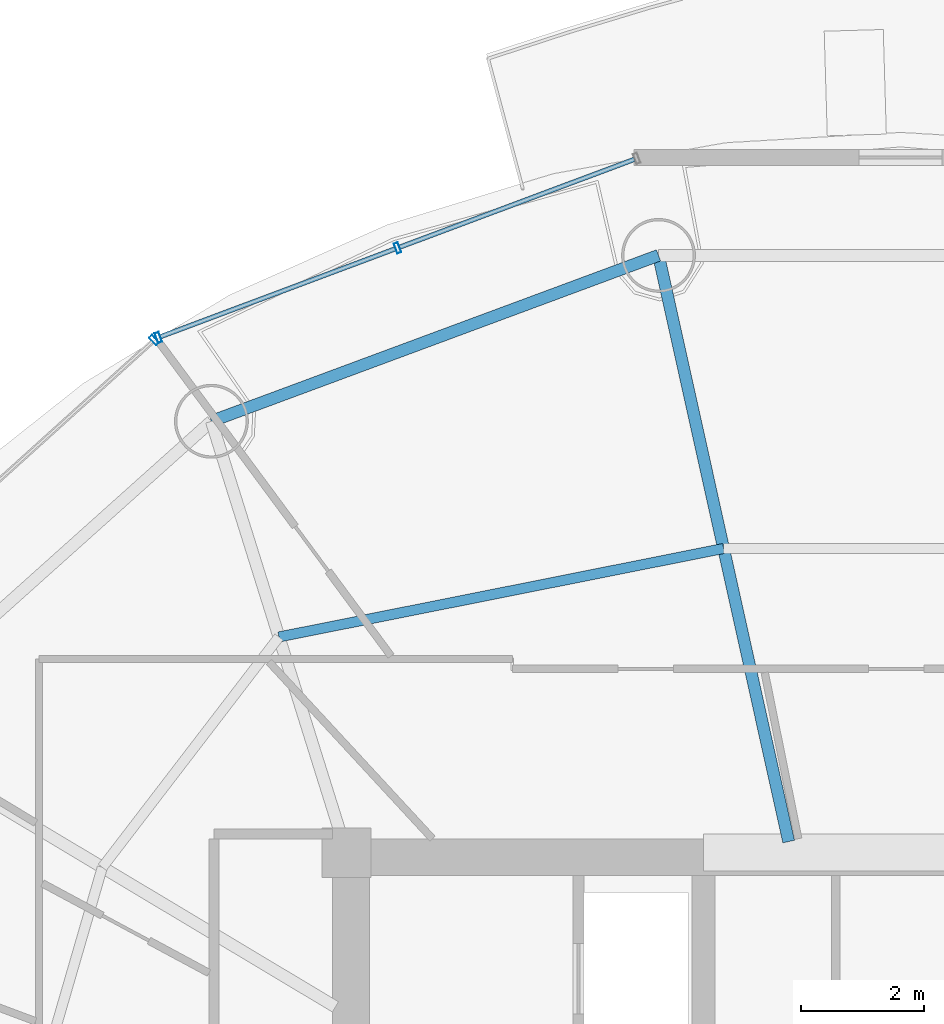
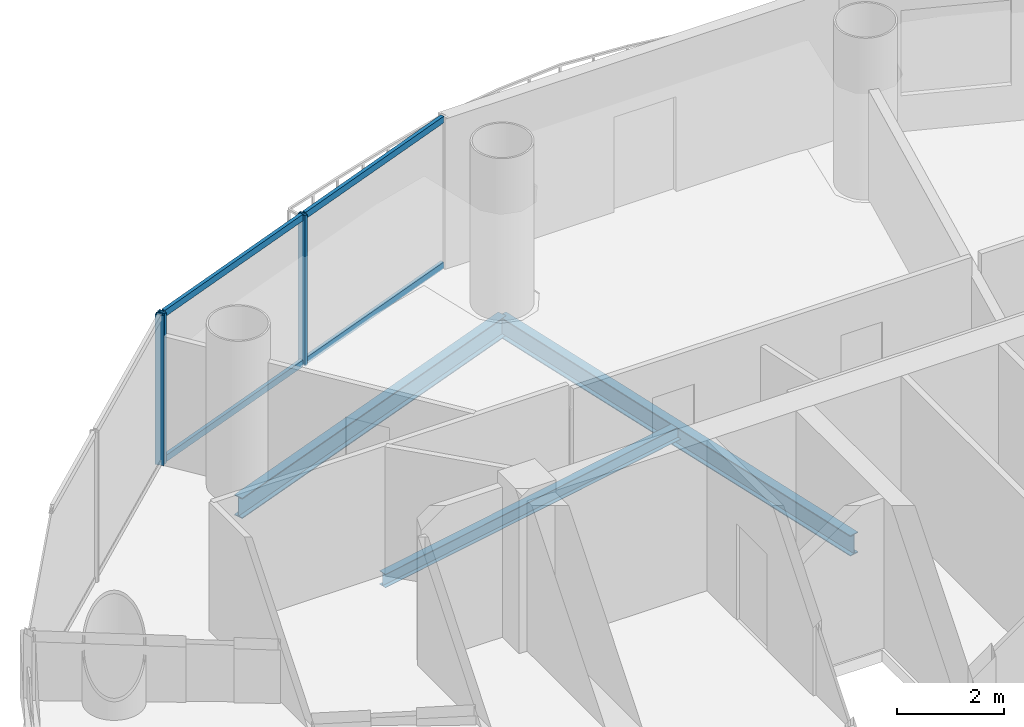
# One storey, part 15 of 26: 7 members, 3 beams, 2 elements without a shape of their own.
"""IFC4 building model written with IfcOpenShell, lengths in metres."""

from ifc_helpers import new_model, si_unit, direction, frame, origin, origin_2d, place, context, subcontext, project, spatial, hollow_rectangle, i_section, extrude, source, transform, mapped, material, material_profile, profile_set, type_object, element, aggregate, save


model = new_model("IFC4")

# Units and contexts
model_context = context("Model", 3, precision=1e-05, world=origin(), true_north=direction((-0.2419218956, 0.970295726276)))
body_context = subcontext(model_context, "Body", "Model", "MODEL_VIEW")
ifc_project = project(units=[si_unit("LENGTHUNIT", "METRE"), si_unit("AREAUNIT", "SQUARE_METRE"), si_unit("VOLUMEUNIT", "CUBIC_METRE"), si_unit("PLANEANGLEUNIT", "RADIAN"), si_unit("MASSUNIT", "GRAM", prefix="KILO")], contexts=[model_context])

# Site, building, storey
site_placement = place(None, origin())
site = spatial("IfcSite", under=ifc_project, at=site_placement, CompositionType="ELEMENT")
building_placement = place(site_placement, origin())
building = spatial("IfcBuilding", under=site, at=building_placement, Name="Cobrevalo Terracotta Tower", CompositionType="ELEMENT")
storey_placement = place(building_placement, frame((0.0, 0.0, 220.800048828125)))
storey = spatial("IfcBuildingStorey", under=building, at=storey_placement, Name="L58", CompositionType="ELEMENT", Elevation=220.800048828125)

# Beams
ifc_material_1 = material(Name="Steel S355", Category="steel")
ifc_material_profile_1 = material_profile(ifc_material_1, i_section(OverallWidth=0.194091796875, OverallDepth=0.468994140625, WebThickness=0.011474609375, FlangeThickness=0.0205078125, at=origin_2d()), Name="W 460x106")
ifc_profile_set_1 = profile_set([ifc_material_profile_1], Name="Steel S355")
beam_type_1 = type_object("IfcBeamType", Name="Structural Beam W 460x106 (Steel S355)", PredefinedType="BEAM", material=ifc_profile_set_1)
beam_1_placement = place(storey_placement, frame((34.06884765625, 44.503173828125, -0.49951171875), z_axis=(0.216782061165, -0.976220025382, 0.0), x_axis=(0.976220025382, 0.216782061165, 0.0)))
element("IfcBeam", 1, at=beam_1_placement, inside=storey, type_object=beam_type_1, Name="L58 radial floor girder 05", PredefinedType="BEAM", context=body_context, shape_type="SweptSolid", body=[
    extrude(i_section(OverallWidth=0.194091796875, OverallDepth=0.468994140625, WebThickness=0.011474609375, FlangeThickness=0.0205078125, at=origin_2d()), origin(), (0.0, 0.0, 1.0), 9.755126953125),
])
ifc_material_profile_2 = material_profile(ifc_material_1, i_section(OverallWidth=0.1650390625, OverallDepth=0.31005859375, WebThickness=0.005859375, FlangeThickness=0.009765625, at=origin_2d()), Name="W 310x38.7")
ifc_profile_set_2 = profile_set([ifc_material_profile_2], Name="Steel S355")
beam_type_2 = type_object("IfcBeamType", Name="Structural Joist W 310x38.7 (Steel S355)", PredefinedType="JOIST", material=ifc_profile_set_2)
beam_2_placement = place(storey_placement, frame((35.126220703125, 39.74169921875, -0.420166015625), z_axis=(-0.980762562197, -0.195204499418, 0.0), x_axis=(0.195204499418, -0.980762562197, 0.0)))
element("IfcBeam", 2, at=beam_2_placement, inside=storey, type_object=beam_type_2, Name="L58 circumferential secondary floor joist 05", PredefinedType="JOIST", context=body_context, shape_type="SweptSolid", body=[
    extrude(i_section(OverallWidth=0.1650390625, OverallDepth=0.31005859375, WebThickness=0.005859375, FlangeThickness=0.009765625, at=origin_2d()), origin(), (0.0, 0.0, 1.0), 7.365234375),
])
ifc_material_profile_3 = material_profile(ifc_material_1, i_section(OverallWidth=0.194091796875, OverallDepth=0.468994140625, WebThickness=0.011474609375, FlangeThickness=0.0205078125, at=origin_2d()), Name="W 460x106")
ifc_profile_set_3 = profile_set([ifc_material_profile_3], Name="Steel S355")
beam_type_3 = type_object("IfcBeamType", Name="Structural Spandrel W 460x106 (Steel S355)", PredefinedType="SPANDREL", material=ifc_profile_set_3)
beam_3_placement = place(storey_placement, frame((34.06884765625, 44.503173828125, -0.49951171875), z_axis=(-0.937545996665, -0.347861328892, 0.0), x_axis=(0.347861328892, -0.937545996665, 0.0)))
element("IfcBeam", 3, at=beam_3_placement, inside=storey, type_object=beam_type_3, Name="L58 perimeter ring spandrel 05", PredefinedType="SPANDREL", context=body_context, shape_type="SweptSolid", body=[
    extrude(i_section(OverallWidth=0.194091796875, OverallDepth=0.468994140625, WebThickness=0.011474609375, FlangeThickness=0.0205078125, at=origin_2d()), origin(), (0.0, 0.0, 1.0), 7.74755859375),
])

# Curtain wall, members
ifc_material_2 = material(Name="Anodized aluminium", Category="aluminium")
curtain_wall_type = type_object("IfcCurtainWallType", Name="Mid-tower high-wind unitised curtain wall CW-U2", PredefinedType="NOTDEFINED", material=ifc_material_2)
curtain_wall_1_placement = place(storey_placement, origin())
curtain_wall_1 = element("IfcCurtainWall", 4, at=curtain_wall_1_placement, inside=storey, type_object=curtain_wall_type, Name="L58 curtain wall CW-L58-S05", PredefinedType="NOTDEFINED")
ifc_material_profile_4 = material_profile(ifc_material_2, hollow_rectangle(XDim=0.074951171875, YDim=0.14990234375, WallThickness=0.00439453125, at=origin_2d()), Name="CWT 75x150")
ifc_profile_set_4 = profile_set([ifc_material_profile_4], Name="Anodized aluminium")
member_type_1 = type_object("IfcMemberType", Name="Tower unitised aluminium transom 75x150", PredefinedType="USERDEFINED", material=ifc_profile_set_4)
shared_shape_1 = source(origin(), body_context, "Body", "SweptSolid", [
    extrude(hollow_rectangle(XDim=0.074951171875, YDim=0.14990234375, WallThickness=0.00439453125, at=origin_2d()), origin(), (0.0, 0.0, 1.0), 4.069580078125),
])
member_1_placement = place(storey_placement, frame((29.79150390625, 44.609619140625, 0.050048828125), z_axis=(-0.936548420649, -0.350538237259, 0.0), x_axis=(0.350538237259, -0.936548420649, 0.0)))
member_1 = element("IfcMember", 5, at=member_1_placement, type_object=member_type_1, Name="CW-L58-S05 transom B02-T1", ObjectType="TRANSOM", PredefinedType="USERDEFINED", context=body_context, shape_type="MappedRepresentation", body=[
    mapped(shared_shape_1, transform((0.0, 0.0, 0.0), scale=1.0)),
])
member_2_placement = place(storey_placement, frame((29.79150390625, 44.609619140625, 3.385009765625), z_axis=(-0.936548420649, -0.350538237259, 0.0), x_axis=(0.350538237259, -0.936548420649, 0.0)))
member_2 = element("IfcMember", 6, at=member_2_placement, type_object=member_type_1, Name="CW-L58-S05 transom B02-T2", ObjectType="TRANSOM", PredefinedType="USERDEFINED", context=body_context, shape_type="MappedRepresentation", body=[
    mapped(shared_shape_1, transform((0.0, 0.0, 0.0), scale=1.0)),
])
shared_shape_2 = source(origin(), body_context, "Body", "SweptSolid", [
    extrude(hollow_rectangle(XDim=0.074951171875, YDim=0.14990234375, WallThickness=0.00439453125, at=origin_2d()), origin(), (0.0, 0.0, 1.0), 4.06982421875),
])
member_3_placement = place(storey_placement, frame((33.677978515625, 46.06396484375, 0.050048828125), z_axis=(-0.936555791772, -0.350518542873, 0.0), x_axis=(0.350518542873, -0.936555791772, 0.0)))
member_3 = element("IfcMember", 7, at=member_3_placement, type_object=member_type_1, Name="CW-L58-S05 transom B01-T1", ObjectType="TRANSOM", PredefinedType="USERDEFINED", context=body_context, shape_type="MappedRepresentation", body=[
    mapped(shared_shape_2, transform((0.0, 0.0, 0.0), scale=1.0)),
])
member_4_placement = place(storey_placement, frame((33.677978515625, 46.06396484375, 3.385009765625), z_axis=(-0.936555791772, -0.350518542873, 0.0), x_axis=(0.350518542873, -0.936555791772, 0.0)))
member_4 = element("IfcMember", 8, at=member_4_placement, type_object=member_type_1, Name="CW-L58-S05 transom B01-T2", ObjectType="TRANSOM", PredefinedType="USERDEFINED", context=body_context, shape_type="MappedRepresentation", body=[
    mapped(shared_shape_2, transform((0.0, 0.0, 0.0), scale=1.0)),
])
ifc_material_profile_5 = material_profile(ifc_material_2, hollow_rectangle(XDim=0.070068359375, YDim=0.169921875, WallThickness=0.00439453125, at=origin_2d()), Name="CWM 70x170")
ifc_profile_set_5 = profile_set([ifc_material_profile_5], Name="Anodized aluminium")
member_type_2 = type_object("IfcMemberType", Name="Upper tower unitised mullion 70x170", PredefinedType="MULLION", material=ifc_profile_set_5)
shared_shape_3 = source(origin(), body_context, "Body", "SweptSolid", [
    extrude(hollow_rectangle(XDim=0.070068359375, YDim=0.169921875, WallThickness=0.00439453125, at=origin_2d()), origin(), (0.0, 0.0, 1.0), 3.43505859375),
])
member_5_placement = place(storey_placement, frame((29.8291015625, 44.62353515625, 0.0), z_axis=(0.0, 0.0, 1.0), x_axis=(-0.936556004584, -0.350517974259, 0.0)))
member_5 = element("IfcMember", 9, at=member_5_placement, type_object=member_type_2, Name="CW-L58-S05 vertical mullion 02", PredefinedType="MULLION", context=body_context, shape_type="MappedRepresentation", body=[
    mapped(shared_shape_3, transform((0.0, 0.0, 0.0), scale=1.0)),
])
member_6_placement = place(storey_placement, frame((25.942626953125, 43.1689453125, 0.0), z_axis=(0.0, 0.0, 1.0), x_axis=(-0.936556004584, -0.350517974259, 0.0)))
member_6 = element("IfcMember", 10, at=member_6_placement, type_object=member_type_2, Name="CW-L58-S05 vertical mullion 03", PredefinedType="MULLION", context=body_context, shape_type="MappedRepresentation", body=[
    mapped(shared_shape_3, transform((0.0, 0.0, 0.0), scale=1.0)),
])
aggregate(curtain_wall_1, [member_5, member_6, member_3, member_4, member_1, member_2])

# Curtain wall, member
curtain_wall_2_placement = place(storey_placement, origin())
curtain_wall_2 = element("IfcCurtainWall", 11, at=curtain_wall_2_placement, inside=storey, type_object=curtain_wall_type, Name="L58 curtain wall CW-L58-S06", PredefinedType="NOTDEFINED")
member_7_placement = place(storey_placement, frame((25.87548828125, 43.128173828125, 0.0), z_axis=(0.0, 0.0, 1.0), x_axis=(-0.741987542015, -0.670413668935, 0.0)))
member_7 = element("IfcMember", 12, at=member_7_placement, type_object=member_type_2, Name="CW-L58-S06 vertical mullion 01", PredefinedType="MULLION", context=body_context, shape_type="MappedRepresentation", body=[
    mapped(shared_shape_3, transform((0.0, 0.0, 0.0), scale=1.0)),
])
aggregate(curtain_wall_2, [member_7])

save(model, "model.ifc")
